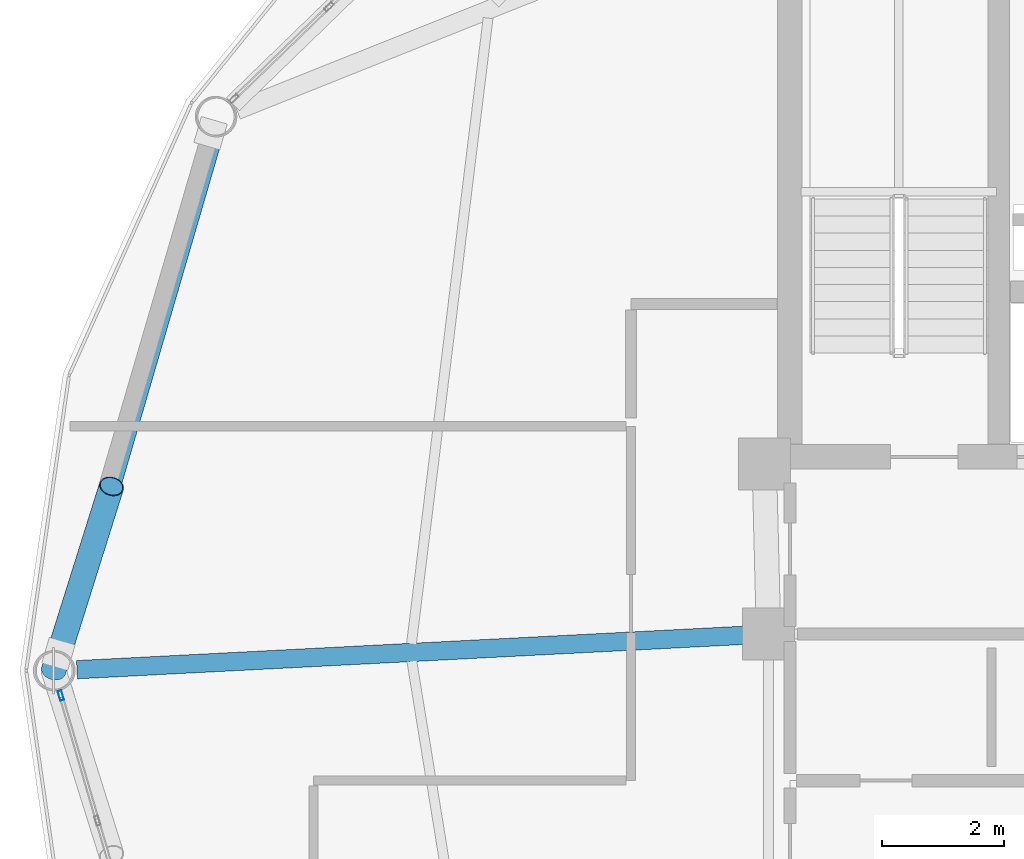
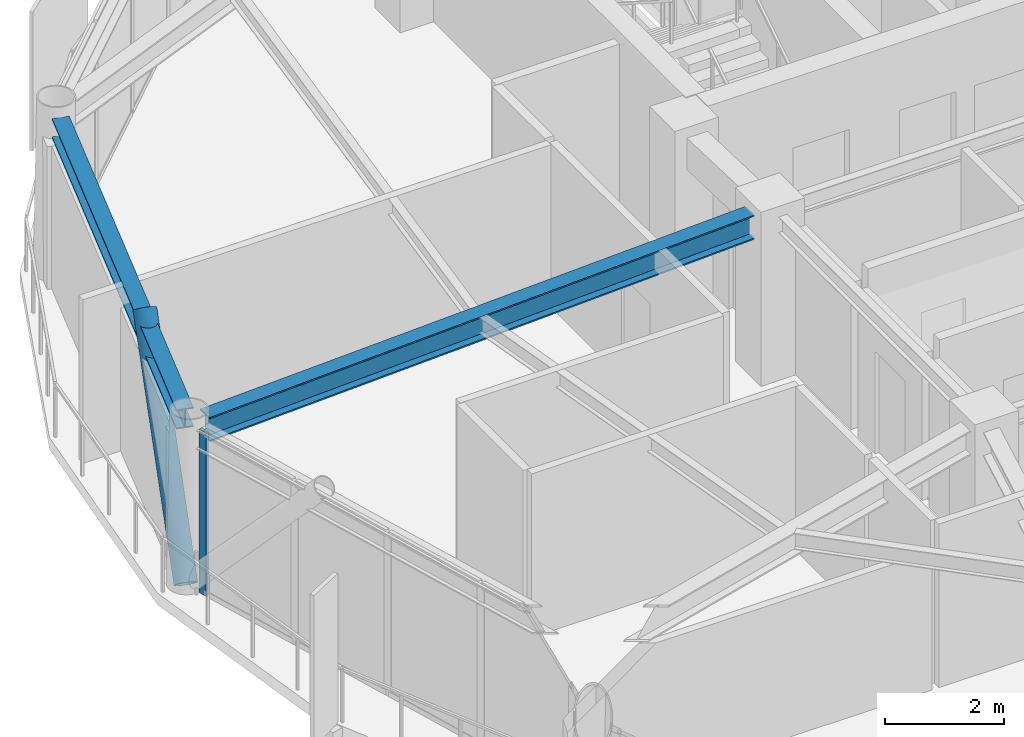
# One storey, part 11 of 28: 2 beams, 2 members, 1 element without a shape of its own.
"""IFC4 building model written with IfcOpenShell, lengths in metres."""

import ifcopenshell
import ifcopenshell.guid

model = None  # the IFC model being written
_history = None  # IfcOwnerHistory: only IFC2X3 demands one
_inside = {}  # id of a spatial element -> (the spatial element, [elements in it])
_under = {}  # id of a project, library or spatial element -> (it, [spatial elements below it])
_declared = {}  # id of a project -> (the project, [libraries it declares])
_typed = {}  # id of a type object -> (the type object, [elements of that type])
_made_of = {}  # id of a material, layer set ... -> (it, [elements and type objects made of it])


def new_model(schema):
    """Start an empty IFC model of exactly this schema.

    Asked for "IFC4X3", IfcOpenShell would pick the latest addendum, in which some entities
    have other attributes; the version numbers below select the first issue.
    IFC2X3 requires an IfcOwnerHistory on every rooted entity: one is made here for all.
    """
    global model, _history
    if schema == "IFC4X3":
        model = ifcopenshell.file(schema_version=(4, 3, 0, 0))
    else:
        model = ifcopenshell.file(schema=schema)
    _inside.clear()
    _under.clear()
    _declared.clear()
    _typed.clear()
    _made_of.clear()
    _history = None
    if model.schema == "IFC2X3":
        org = make("IfcOrganization", Name="unknown")
        user = make(
            "IfcPersonAndOrganization",
            ThePerson=make("IfcPerson", FamilyName="unknown"),
            TheOrganization=org,
        )
        app = make(
            "IfcApplication",
            ApplicationDeveloper=org,
            Version="unknown",
            ApplicationFullName="unknown",
            ApplicationIdentifier="unknown",
        )
        _history = make(
            "IfcOwnerHistory",
            OwningUser=user,
            OwningApplication=app,
            ChangeAction="ADDED",
            CreationDate=0,
        )
    return model


def make(cls, **values):
    """One entity of the class cls with the attributes given. An attribute that is None is left unset."""
    return model.create_entity(
        cls, **{name: value for name, value in values.items() if value is not None}
    )


def rooted(cls, **values):
    """An entity with a GlobalId (a new one), such as an element, a storey or a relation."""
    return make(cls, GlobalId=ifcopenshell.guid.new(), OwnerHistory=_history, **values)


def si_unit(unit_type, name, prefix=None):
    """IfcSIUnit, for example si_unit("LENGTHUNIT", "METRE", prefix="MILLI")."""
    return make("IfcSIUnit", UnitType=unit_type, Prefix=prefix, Name=name)


def assignment(units):
    """IfcUnitAssignment: the units of a project."""
    return None if units is None else make("IfcUnitAssignment", Units=units)


def point(xyz):
    """IfcCartesianPoint."""
    return None if xyz is None else make("IfcCartesianPoint", Coordinates=xyz)


def direction(xyz):
    """IfcDirection."""
    return None if xyz is None else make("IfcDirection", DirectionRatios=xyz)


def frame(location, z_axis=None, x_axis=None):
    """IfcAxis2Placement3D, a coordinate frame: its origin and axes. An axis left out is left unset."""
    return make(
        "IfcAxis2Placement3D",
        Location=point(location),
        Axis=direction(z_axis),
        RefDirection=direction(x_axis),
    )


def frame_2d(location, x_axis=None):
    """IfcAxis2Placement2D, a coordinate frame in the plane: its origin and x axis."""
    return make(
        "IfcAxis2Placement2D", Location=point(location), RefDirection=direction(x_axis)
    )


def origin():
    """The frame at (0, 0, 0) with its axes left unset."""
    return frame((0.0, 0.0, 0.0))


def origin_2d():
    """The frame at (0, 0) in the plane with its x axis left unset."""
    return frame_2d((0.0, 0.0))


def place(relative_to, where):
    """IfcLocalPlacement: puts the frame where relative to a parent placement (None: the world)."""
    return make(
        "IfcLocalPlacement", PlacementRelTo=relative_to, RelativePlacement=where
    )


def context(
    kind, dimensions, precision=None, world=None, true_north=None, identifier=None
):
    """IfcGeometricRepresentationContext, for example the 3D "Model" context."""
    return make(
        "IfcGeometricRepresentationContext",
        ContextIdentifier=identifier,
        ContextType=kind,
        CoordinateSpaceDimension=dimensions,
        Precision=precision,
        WorldCoordinateSystem=world,
        TrueNorth=true_north,
    )


def subcontext(parent, identifier, kind, view, scale=None):
    """IfcGeometricRepresentationSubContext, for example "Body" below "Model"."""
    return make(
        "IfcGeometricRepresentationSubContext",
        ContextIdentifier=identifier,
        ContextType=kind,
        ParentContext=parent,
        TargetScale=scale,
        TargetView=view,
    )


def project(units=None, contexts=None):
    """IfcProject with its units and contexts."""
    return rooted(
        "IfcProject",
        Name="project",
        RepresentationContexts=contexts,
        UnitsInContext=assignment(units),
    )


def spatial(cls, under=None, at=None, **own):
    """A site, building, storey or space (cls), placed at a placement, below another one or the project."""
    s = rooted(cls, ObjectPlacement=at, **own)
    if under is not None:
        _under.setdefault(under.id(), (under, []))[1].append(s)
    return s


def profile(cls, at=None, kind="AREA", **sizes):
    """A parametric profile (cls). Its sizes go by their IFC names, for example OverallWidth=200.0."""
    return make(cls, ProfileType=kind, Position=at, **sizes)


def hollow_rectangle(**sizes):
    """IfcRectangleHollowProfileDef."""
    return profile("IfcRectangleHollowProfileDef", **sizes)


def hollow_circle(**sizes):
    """IfcCircleHollowProfileDef."""
    return profile("IfcCircleHollowProfileDef", **sizes)


def i_section(**sizes):
    """IfcIShapeProfileDef."""
    return profile("IfcIShapeProfileDef", **sizes)


def extrude(swept, where, along, depth):
    """IfcExtrudedAreaSolid: the profile swept, set in the frame where, extruded along a direction by depth."""
    return make(
        "IfcExtrudedAreaSolid",
        SweptArea=swept,
        Position=where,
        ExtrudedDirection=direction(along),
        Depth=depth,
    )


def shape(context_of_items, identifier, shape_type, items):
    """IfcShapeRepresentation: the items that make up one representation, for example the "Body"."""
    return make(
        "IfcShapeRepresentation",
        ContextOfItems=context_of_items,
        RepresentationIdentifier=identifier,
        RepresentationType=shape_type,
        Items=items,
    )


def material(Name=None, Category=None):
    """IfcMaterial."""
    return make("IfcMaterial", Name=Name, Category=Category)


def layer(
    of_material, thickness, ventilated=None, Name=None, Category=None, Priority=None
):
    """IfcMaterialLayer: one layer of a wall or slab, of a material (None: an air gap)."""
    return make(
        "IfcMaterialLayer",
        Material=of_material,
        LayerThickness=thickness,
        IsVentilated=ventilated,
        Name=Name,
        Category=Category,
        Priority=Priority,
    )


def layer_set(layers, Name=None):
    """IfcMaterialLayerSet."""
    return make("IfcMaterialLayerSet", MaterialLayers=layers, LayerSetName=Name)


def material_profile(
    of_material, cross_section, Name=None, Category=None, Priority=None
):
    """IfcMaterialProfile: a cross section and its material."""
    return make(
        "IfcMaterialProfile",
        Name=Name,
        Material=of_material,
        Profile=cross_section,
        Priority=Priority,
        Category=Category,
    )


def profile_set(profiles, Name=None, composite=None):
    """IfcMaterialProfileSet."""
    return make(
        "IfcMaterialProfileSet",
        Name=Name,
        MaterialProfiles=profiles,
        CompositeProfile=composite,
    )


def made_of(thing, what):
    """Note that an element or type object is made of a material, layer set ...; save() writes the relation."""
    if what is not None:
        _made_of.setdefault(what.id(), (what, []))[1].append(thing)
    return thing


def type_object(cls, material=None, **own):
    """A type object (cls), such as IfcWallType, which elements share."""
    return made_of(rooted(cls, **own), material)


def element(
    cls,
    number,
    at=None,
    inside=None,
    cuts=None,
    type_object=None,
    material=None,
    context=None,
    identifier="Body",
    shape_type=None,
    held_by="IfcProductDefinitionShape",
    body=None,
    shapes=None,
    **own,
):
    """One element of the class cls, such as IfcWall. Its Tag is "e" and its number.

    at: its placement. inside: the storey or other place that contains it. cuts: it is an
    opening in that element (IfcRelVoidsElement). A single representation is given by context,
    identifier, shape_type and body (its items); several are given by shapes. held_by: the class
    of the entity that holds the representations. save() writes the other relations.
    """
    e = rooted(cls, Tag="e%d" % number, ObjectPlacement=at, **own)
    if body is not None:
        shapes = [shape(context, identifier, shape_type, body)]
    if shapes is not None:
        e.Representation = make(held_by, Representations=shapes)
    if inside is not None:
        _inside.setdefault(inside.id(), (inside, []))[1].append(e)
    if cuts is not None:
        rooted(
            "IfcRelVoidsElement", RelatingBuildingElement=cuts, RelatedOpeningElement=e
        )
    if type_object is not None:
        _typed.setdefault(type_object.id(), (type_object, []))[1].append(e)
    return made_of(e, material)


def aggregate(whole, parts):
    """IfcRelAggregates: a whole, such as a stair, and the parts it consists of."""
    return rooted("IfcRelAggregates", RelatingObject=whole, RelatedObjects=parts)


def save(model, path):
    """Write the relations noted so far, then the file.

    IfcRelAggregates (storeys below a building ...), IfcRelContainedInSpatialStructure (elements
    in a storey), IfcRelDefinesByType, IfcRelAssociatesMaterial and IfcRelDeclares: one each for
    every whole, place, type object, material and project.
    """
    for whole, parts in _under.values():
        aggregate(whole, parts)
    for where, things in _inside.values():
        rooted(
            "IfcRelContainedInSpatialStructure",
            RelatedElements=things,
            RelatingStructure=where,
        )
    for kind, things in _typed.values():
        rooted("IfcRelDefinesByType", RelatedObjects=things, RelatingType=kind)
    for what, things in _made_of.values():
        rooted("IfcRelAssociatesMaterial", RelatedObjects=things, RelatingMaterial=what)
    for by, libraries in _declared.values():
        rooted("IfcRelDeclares", RelatingContext=by, RelatedDefinitions=libraries)
    model.write(path)


model = new_model("IFC4")

# Units and contexts
model_context = context("Model", 3, precision=1e-05, world=origin(), true_north=direction((0.0, 1.0)))
body_context = subcontext(model_context, "Body", "Model", "MODEL_VIEW")
ifc_project = project(units=[si_unit("LENGTHUNIT", "METRE"), si_unit("AREAUNIT", "SQUARE_METRE"), si_unit("VOLUMEUNIT", "CUBIC_METRE"), si_unit("PLANEANGLEUNIT", "RADIAN"), si_unit("MASSUNIT", "GRAM", prefix="KILO")], contexts=[model_context])

# Site, building, storey
site_placement = place(None, origin())
site = spatial("IfcSite", under=ifc_project, at=site_placement, CompositionType="ELEMENT")
building_placement = place(site_placement, origin())
building = spatial("IfcBuilding", under=site, at=building_placement, Name="Varnakorn Sky Granary", CompositionType="ELEMENT")
storey_placement = place(building_placement, frame((0.0, 0.0, 225.60009765625)))
storey = spatial("IfcBuildingStorey", under=building, at=storey_placement, Name="L57", CompositionType="ELEMENT", Elevation=225.60009765625)

# Beams
ifc_material_1 = material(Name="Steel S355JR", Category="steel")
ifc_material_profile_1 = material_profile(ifc_material_1, i_section(OverallWidth=0.300048828125, OverallDepth=0.5, WebThickness=0.014404296875, FlangeThickness=0.028076171875, at=origin_2d()), Name="HE 500 B")
ifc_profile_set_1 = profile_set([ifc_material_profile_1], Name="Steel S355JR")
beam_type_1 = type_object("IfcBeamType", Name="BM-RAD-Z4", PredefinedType="BEAM", material=ifc_profile_set_1)
beam_1_placement = place(storey_placement, frame((-2.75439453125, 0.5791015625, 3.10986328125), z_axis=(-0.998672444671, -0.051510661569, 0.0), x_axis=(0.051510661569, -0.998672444671, 0.0)))
element("IfcBeam", 1, at=beam_1_placement, inside=storey, type_object=beam_type_1, Name="Radial Floor Girder RG07 L57", PredefinedType="BEAM", context=body_context, shape_type="SweptSolid", body=[
    extrude(i_section(OverallWidth=0.300048828125, OverallDepth=0.5, WebThickness=0.014404296875, FlangeThickness=0.028076171875, at=origin_2d()), origin(), (0.0, 0.0, 1.0), 10.929443359375),
])
ifc_material_profile_2 = material_profile(ifc_material_1, i_section(OverallWidth=0.300048828125, OverallDepth=0.39990234375, WebThickness=0.013427734375, FlangeThickness=0.02392578125, at=origin_2d()), Name="HE 400 B")
ifc_profile_set_2 = profile_set([ifc_material_profile_2], Name="Steel S355JR")
beam_type_2 = type_object("IfcBeamType", Name="BM-SPD-Z4", PredefinedType="SPANDREL", material=ifc_profile_set_2)
beam_2_placement = place(storey_placement, frame((-11.431884765625, 8.751220703125, 3.159912109375), z_axis=(-0.279963780943, -0.96001056315, 0.0), x_axis=(0.96001056315, -0.279963780943, 0.0)))
element("IfcBeam", 2, at=beam_2_placement, inside=storey, type_object=beam_type_2, Name="Perimeter Spandrel Ring Beam RB06 L57", PredefinedType="SPANDREL", context=body_context, shape_type="SweptSolid", body=[
    extrude(i_section(OverallWidth=0.300048828125, OverallDepth=0.39990234375, WebThickness=0.013427734375, FlangeThickness=0.02392578125, at=origin_2d()), origin(), (0.0, 0.0, 1.0), 8.80078125),
])

# Curtain wall, member
ifc_material_2 = material(Name="Anodised Bronze Aluminium Alloy 6063-T6", Category="aluminium")
ifc_layer = layer(ifc_material_2, 0.169921875, Name="Anodised Bronze Aluminium Alloy 6063-T6")
ifc_layer_set = layer_set([ifc_layer], Name="Anodised Bronze Aluminium Alloy 6063-T6")
curtain_wall_type = type_object("IfcCurtainWallType", Name="CW-LAB-1", PredefinedType="USERDEFINED", material=ifc_layer_set)
curtain_wall_placement = place(storey_placement, origin())
curtain_wall = element("IfcCurtainWall", 3, at=curtain_wall_placement, inside=storey, type_object=curtain_wall_type, Name="Unitised Curtain Wall CW5 CW-L57-B07", ObjectType="CURTAIN WALL", PredefinedType="USERDEFINED")
ifc_material_profile_3 = material_profile(ifc_material_2, hollow_rectangle(XDim=0.06494140625, YDim=0.159912109375, WallThickness=0.00341796875, at=origin_2d()), Name="ALU MULL 65x160")
ifc_profile_set_3 = profile_set([ifc_material_profile_3], Name="Anodised Bronze Aluminium Alloy 6063-T6")
member_type_1 = type_object("IfcMemberType", Name="CW-LAB-1-MULL", PredefinedType="MULLION", material=ifc_profile_set_3)
member_1_placement = place(storey_placement, frame((-13.93359375, -0.405517578125, 0.0), z_axis=(0.0, 0.0, 1.0), x_axis=(-0.959890244378, -0.28037603098, 0.0)))
member_1 = element("IfcMember", 4, at=member_1_placement, type_object=member_type_1, Name="CW5 mullion 5", PredefinedType="MULLION", context=body_context, shape_type="SweptSolid", body=[
    extrude(hollow_rectangle(XDim=0.06494140625, YDim=0.159912109375, WallThickness=0.00341796875, at=origin_2d()), origin(), (0.0, 0.0, 1.0), 3.35986328125),
])
aggregate(curtain_wall, [member_1])

# Member
ifc_material_3 = material(Name="Steel S460M", Category="steel")
ifc_material_profile_4 = material_profile(ifc_material_3, hollow_circle(Radius=0.203125, WallThickness=0.01611328125, at=origin_2d()), Name="CHS 406.4x16")
ifc_profile_set_4 = profile_set([ifc_material_profile_4], Name="Steel S460M")
member_type_2 = type_object("IfcMemberType", Name="MB-DIAG-T4", PredefinedType="BRACE", material=ifc_profile_set_4)
member_2_placement = place(storey_placement, frame((-14.052001953125, 0.0, 0.0), z_axis=(0.201264927478, 0.640699399577, 0.74094312086), x_axis=(-0.954035337323, 0.299694135978, 0.0)))
element("IfcMember", 5, at=member_2_placement, inside=storey, type_object=member_type_2, Name="Perimeter CHS Diagrid Brace DG06 L57", PredefinedType="BRACE", context=body_context, shape_type="SweptSolid", body=[
    extrude(hollow_circle(Radius=0.203125, WallThickness=0.01611328125, at=origin_2d()), origin(), (0.0, 0.0, 1.0), 4.710205078125),
])

save(model, "model.ifc")
